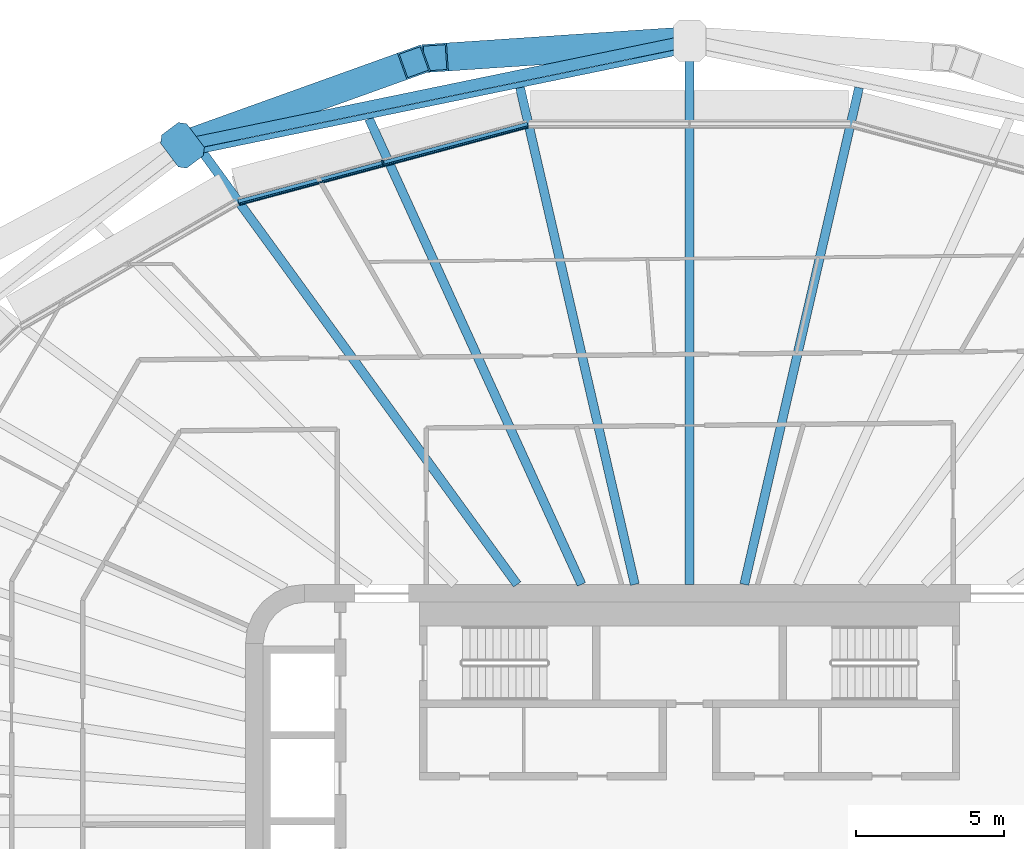
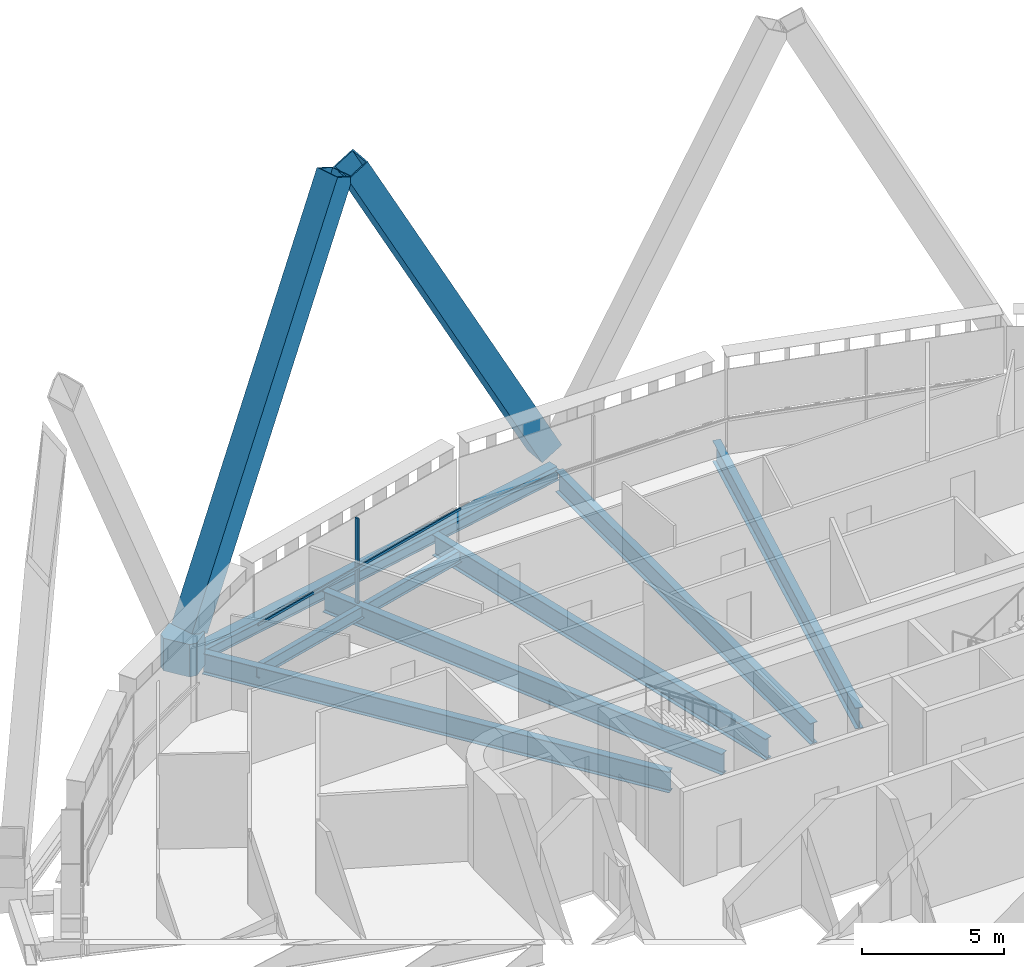
# One storey, part 8 of 25: 8 beams, 5 members, 1 element without a shape of its own.
"""IFC4 building model written with IfcOpenShell, lengths in metres."""

from ifc_helpers import new_model, si_unit, direction, frame, origin, origin_2d, place, context, subcontext, project, spatial, polyline, rectangle, hollow_rectangle, i_section, outline, extrude, material, layer, layer_set, material_profile, profile_set, type_object, element, aggregate, save


model = new_model("IFC4")

# Units and contexts
model_context = context("Model", 3, precision=1e-05, world=origin(), true_north=direction((0.0, 1.0)))
body_context = subcontext(model_context, "Body", "Model", "MODEL_VIEW")
ifc_project = project(units=[si_unit("LENGTHUNIT", "METRE"), si_unit("AREAUNIT", "SQUARE_METRE"), si_unit("VOLUMEUNIT", "CUBIC_METRE"), si_unit("PLANEANGLEUNIT", "RADIAN"), si_unit("MASSUNIT", "GRAM", prefix="KILO")], contexts=[model_context])

# Site, building, storey
site_placement = place(None, origin())
site = spatial("IfcSite", under=ifc_project, at=site_placement, CompositionType="ELEMENT")
building_placement = place(site_placement, origin())
building = spatial("IfcBuilding", under=site, at=building_placement, Name="Sahrelin Media Tower", CompositionType="ELEMENT")
storey_placement = place(building_placement, frame((0.0, 0.0, 79.800048828125)))
storey = spatial("IfcBuildingStorey", under=building, at=storey_placement, Name="L14", CompositionType="ELEMENT", Elevation=79.800048828125)

# Members
ifc_material_1 = material(Name="Steel S460", Category="steel")
ifc_material_profile_1 = material_profile(ifc_material_1, hollow_rectangle(XDim=0.949951171875, YDim=0.949951171875, WallThickness=0.054931640625, at=origin_2d()), Name="Diagrid diagonal DG2")
ifc_profile_set_1 = profile_set([ifc_material_profile_1], Name="Steel S460")
member_type_1 = type_object("IfcMemberType", Name="Diagrid diagonal DG2", PredefinedType="BRACE", material=ifc_profile_set_1)
member_1_placement = place(storey_placement, frame((-0.373779296875, 26.339111328125, 0.699951171875), z_axis=(-0.470683324445, -0.031647275081, 0.881734460067), x_axis=(0.067085404611, -0.997747236773, 0.0)))
element("IfcMember", 1, at=member_1_placement, inside=storey, type_object=member_type_1, Name="Diagrid diagonal D02-06", PredefinedType="BRACE", context=body_context, shape_type="SweptSolid", body=[
    extrude(hollow_rectangle(XDim=0.949951171875, YDim=0.949951171875, WallThickness=0.054931640625, at=origin_2d()), origin(), (0.0, 0.0, 1.0), 17.465576171875),
])
member_2_placement = place(storey_placement, frame((-16.786376953125, 22.9541015625, 0.699951171875), z_axis=(0.431548900161, 0.154946779536, 0.888682756827), x_axis=(-0.337926169392, 0.941172621808, 0.0)))
element("IfcMember", 2, at=member_2_placement, inside=storey, type_object=member_type_1, Name="Diagrid diagonal D02-07", PredefinedType="BRACE", context=body_context, shape_type="SweptSolid", body=[
    extrude(hollow_rectangle(XDim=0.949951171875, YDim=0.949951171875, WallThickness=0.054931640625, at=origin_2d()), origin(), (0.0, 0.0, 1.0), 17.328857421875),
])
ifc_material_profile_2 = material_profile(ifc_material_1, outline(polyline([(0.5, -0.550048828125), (0.699951171875, -0.35009765625), (0.699951171875, 0.35009765625), (0.5, 0.550048828125), (-0.5, 0.550048828125), (-0.699951171875, 0.35009765625), (-0.699951171875, -0.35009765625), (-0.5, -0.550048828125), (0.5, -0.550048828125)])), Name="Diagrid node block 1400")
ifc_profile_set_2 = profile_set([ifc_material_profile_2], Name="Steel S460")
member_type_2 = type_object("IfcMemberType", Name="Diagrid node block 1400", PredefinedType="USERDEFINED", material=ifc_profile_set_2)
member_3_placement = place(storey_placement, frame((-17.126220703125, 22.83203125, -0.699951171875), z_axis=(0.0, 0.0, 1.0), x_axis=(-0.600051693363, 0.799961227368, 0.0)))
element("IfcMember", 3, at=member_3_placement, inside=storey, type_object=member_type_2, Name="Diagrid node N02-04", ObjectType="NODE", PredefinedType="USERDEFINED", context=body_context, shape_type="SweptSolid", body=[
    extrude(outline(polyline([(0.5, -0.550048828125), (0.699951171875, -0.35009765625), (0.699951171875, 0.35009765625), (0.5, 0.550048828125), (-0.5, 0.550048828125), (-0.699951171875, 0.35009765625), (-0.699951171875, -0.35009765625), (-0.5, -0.550048828125), (0.5, -0.550048828125)])), origin(), (0.0, 0.0, 1.0), 1.39990234375),
])

# Beams
ifc_material_profile_3 = material_profile(ifc_material_1, hollow_rectangle(XDim=0.39990234375, YDim=0.60009765625, WallThickness=0.030029296875, at=origin_2d()), Name="Diagrid ring beam RB1")
ifc_profile_set_3 = profile_set([ifc_material_profile_3], Name="Steel S460")
beam_type_1 = type_object("IfcBeamType", Name="Diagrid ring beam RB1", PredefinedType="BEAM", material=ifc_profile_set_3)
beam_1_placement = place(storey_placement, frame((0.0, 26.364013671875, -0.449951171875), z_axis=(-0.979389265781, -0.2019818459, 0.0), x_axis=(0.2019818459, -0.979389265781, 0.0)))
element("IfcBeam", 4, at=beam_1_placement, inside=storey, type_object=beam_type_1, Name="Diagrid ring beam RB02-03", PredefinedType="BEAM", context=body_context, shape_type="SweptSolid", body=[
    extrude(hollow_rectangle(XDim=0.39990234375, YDim=0.60009765625, WallThickness=0.030029296875, at=origin_2d()), origin(), (0.0, 0.0, 1.0), 17.486572265625),
])
ifc_material_2 = material(Name="Steel S355", Category="steel")
ifc_material_profile_4 = material_profile(ifc_material_2, i_section(OverallWidth=0.208740234375, OverallDepth=0.5283203125, WebThickness=0.009521484375, FlangeThickness=0.01318359375, FilletRadius=0.0126953125, at=origin_2d()), Name="UB 533x210x82")
ifc_profile_set_4 = profile_set([ifc_material_profile_4], Name="Steel S355")
beam_type_2 = type_object("IfcBeamType", Name="Edge beam EB6", PredefinedType="BEAM", material=ifc_profile_set_4)
beam_2_placement = place(storey_placement, frame((-15.23095703125, 20.892578125, -0.414306640625), z_axis=(0.965927364405, 0.258813304707, 0.0), x_axis=(-0.258813304707, 0.965927364405, 0.0)))
element("IfcBeam", 5, at=beam_2_placement, inside=storey, type_object=beam_type_2, Name="Edge beam L14-18", PredefinedType="BEAM", context=body_context, shape_type="SweptSolid", body=[
    extrude(i_section(OverallWidth=0.208740234375, OverallDepth=0.5283203125, WebThickness=0.009521484375, FlangeThickness=0.01318359375, FilletRadius=0.0126953125, at=origin_2d()), origin(), (0.0, 0.0, 1.0), 10.1142578125),
])

# Curtain wall, member
ifc_material_3 = material(Name="Champagne anodised aluminium 6063-T6", Category="aluminium")
ifc_layer = layer(ifc_material_3, 0.14990234375)
ifc_layer_set = layer_set([ifc_layer], Name="Tower ribbon curtain wall")
curtain_wall_type = type_object("IfcCurtainWallType", Name="Tower ribbon curtain wall", PredefinedType="NOTDEFINED", material=ifc_layer_set)
curtain_wall_placement = place(storey_placement, frame((-10.385009765625, 22.346435546875, 0.0), z_axis=(0.0, 0.0, 1.0), x_axis=(1.0, 0.0, 0.0)))
curtain_wall = element("IfcCurtainWall", 6, at=curtain_wall_placement, inside=storey, type_object=curtain_wall_type, Name="L14:CW:L14-07", PredefinedType="NOTDEFINED")
ifc_material_profile_5 = material_profile(ifc_material_3, rectangle(XDim=0.06005859375, YDim=0.14990234375, at=origin_2d()), Name="Mullion 60x150")
ifc_profile_set_5 = profile_set([ifc_material_profile_5], Name="Champagne anodised aluminium 6063-T6")
member_type_3 = type_object("IfcMemberType", Name="Mullion 60x150 CW1", PredefinedType="MULLION", material=ifc_profile_set_5)
member_4_placement = place(storey_placement, frame((-10.360595703125, 22.254638671875, 0.0), z_axis=(0.0, 0.0, 1.0), x_axis=(-0.965924922834, -0.258822416818, 0.0)))
member_4 = element("IfcMember", 7, at=member_4_placement, type_object=member_type_3, Name="L14:CWM:L14-07", PredefinedType="MULLION", context=body_context, shape_type="SweptSolid", body=[
    extrude(rectangle(XDim=0.06005859375, YDim=0.14990234375, at=origin_2d()), origin(), (0.0, 0.0, 1.0), 3.6484375),
])

# Beams
ifc_material_profile_6 = material_profile(ifc_material_2, i_section(OverallWidth=0.30322265625, OverallDepth=0.903076171875, WebThickness=0.01513671875, FlangeThickness=0.020263671875, FilletRadius=0.01904296875, at=origin_2d()), Name="UB 914x305x201")
ifc_profile_set_6 = profile_set([ifc_material_profile_6], Name="Steel S355")
beam_type_3 = type_object("IfcBeamType", Name="Radial primary beam PB11", PredefinedType="BEAM", material=ifc_profile_set_6)
for number, where, z_axis, x_axis, name in (
    (8, (1.848388671875, 8.0, -0.6015625), (0.225091418357, 0.97433764855, 0.0), (-0.97433764855, 0.225091418357, 0.0), "Radial beam L14-06"),
    (9, (-1.848388671875, 8.0, -0.6015625), (-0.225091418357, 0.97433764855, 0.0), (-0.97433764855, -0.225091418357, 0.0), "Radial beam L14-07"),
):
    element("IfcBeam", number, at=place(storey_placement, frame(where, z_axis=z_axis, x_axis=x_axis)), inside=storey, type_object=beam_type_3, Name=name, PredefinedType="BEAM", context=body_context, shape_type="SweptSolid", body=[
        extrude(i_section(OverallWidth=0.30322265625, OverallDepth=0.903076171875, WebThickness=0.01513671875, FlangeThickness=0.020263671875, FilletRadius=0.01904296875, at=origin_2d()), origin(), (0.0, 0.0, 1.0), 17.2216796875),
    ])
beam_3_placement = place(storey_placement, frame((-5.82177734375, 8.0, -0.6015625), z_axis=(-0.588409281168, 0.808563242941, 0.0), x_axis=(-0.808563242941, -0.588409281168, 0.0)))
element("IfcBeam", 10, at=beam_3_placement, inside=storey, type_object=beam_type_3, Name="Radial beam L14-08", PredefinedType="BEAM", context=body_context, shape_type="SweptSolid", body=[
    extrude(i_section(OverallWidth=0.30322265625, OverallDepth=0.903076171875, WebThickness=0.01513671875, FlangeThickness=0.020263671875, FilletRadius=0.01904296875, at=origin_2d()), origin(), (0.0, 0.0, 1.0), 18.022705078125),
])
ifc_material_profile_7 = material_profile(ifc_material_2, i_section(OverallWidth=0.30322265625, OverallDepth=0.903076171875, WebThickness=0.01513671875, FlangeThickness=0.020263671875, FilletRadius=0.01904296875, at=origin_2d()), Name="UB 914x305x201")
ifc_profile_set_7 = profile_set([ifc_material_profile_7], Name="Steel S355")
beam_type_4 = type_object("IfcBeamType", Name="Radial secondary beam SB11", PredefinedType="BEAM", material=ifc_profile_set_7)
beam_4_placement = place(storey_placement, frame((0.0, 8.0, -0.6015625), z_axis=(0.0, 1.0, 0.0), x_axis=(-1.0, 0.0, 0.0)))
element("IfcBeam", 11, at=beam_4_placement, inside=storey, type_object=beam_type_4, Name="Secondary beam L14-06", PredefinedType="BEAM", context=body_context, shape_type="SweptSolid", body=[
    extrude(i_section(OverallWidth=0.30322265625, OverallDepth=0.903076171875, WebThickness=0.01513671875, FlangeThickness=0.020263671875, FilletRadius=0.01904296875, at=origin_2d()), origin(), (0.0, 0.0, 1.0), 17.96044921875),
])
beam_5_placement = place(storey_placement, frame((-3.650390625, 8.0, -0.6015625), z_axis=(-0.415103826576, 0.909774045113, 0.0), x_axis=(-0.909774045113, -0.415103826576, 0.0)))
element("IfcBeam", 12, at=beam_5_placement, inside=storey, type_object=beam_type_4, Name="Secondary beam L14-07", PredefinedType="BEAM", context=body_context, shape_type="SweptSolid", body=[
    extrude(i_section(OverallWidth=0.30322265625, OverallDepth=0.903076171875, WebThickness=0.01513671875, FlangeThickness=0.020263671875, FilletRadius=0.01904296875, at=origin_2d()), origin(), (0.0, 0.0, 1.0), 17.287353515625),
])
ifc_material_profile_8 = material_profile(ifc_material_2, i_section(OverallWidth=0.1904296875, OverallDepth=0.45703125, WebThickness=0.009033203125, FlangeThickness=0.014404296875, FilletRadius=0.01025390625, at=origin_2d()), Name="UB 457x191x74")
ifc_profile_set_8 = profile_set([ifc_material_profile_8], Name="Steel S355")
beam_type_5 = type_object("IfcBeamType", Name="Tie chord TC5", PredefinedType="BEAM", material=ifc_profile_set_8)
beam_6_placement = place(storey_placement, frame((-16.998046875, 22.552001953125, -0.378662109375), z_axis=(0.979388508786, 0.201985516455, 0.0), x_axis=(-0.201985516455, 0.979388508786, 0.0)))
element("IfcBeam", 13, at=beam_6_placement, inside=storey, type_object=beam_type_5, Name="Tie chord L14-09", PredefinedType="BEAM", context=body_context, shape_type="SweptSolid", body=[
    extrude(i_section(OverallWidth=0.1904296875, OverallDepth=0.45703125, WebThickness=0.009033203125, FlangeThickness=0.014404296875, FilletRadius=0.01025390625, at=origin_2d()), origin(), (0.0, 0.0, 1.0), 17.355712890625),
])

# Member
ifc_material_profile_9 = material_profile(ifc_material_3, rectangle(XDim=0.050048828125, YDim=0.10009765625, at=origin_2d()), Name="Transom 50x100")
ifc_profile_set_9 = profile_set([ifc_material_profile_9], Name="Champagne anodised aluminium 6063-T6")
member_type_4 = type_object("IfcMemberType", Name="Transom 50x100 CW1", PredefinedType="USERDEFINED", material=ifc_profile_set_9)
member_5_placement = place(storey_placement, frame((-5.465087890625, 23.462890625, 1.599853515625), z_axis=(-0.965924380906, -0.258824439285, 0.0), x_axis=(0.258824439285, -0.965924380906, 0.0)))
member_5 = element("IfcMember", 14, at=member_5_placement, type_object=member_type_4, Name="L14:CWT:L14-07", ObjectType="TRANSOM", PredefinedType="USERDEFINED", context=body_context, shape_type="SweptSolid", body=[
    extrude(rectangle(XDim=0.050048828125, YDim=0.10009765625, at=origin_2d()), origin(), (0.0, 0.0, 1.0), 10.08251953125),
])

aggregate(curtain_wall, [member_4, member_5])

save(model, "model.ifc")
